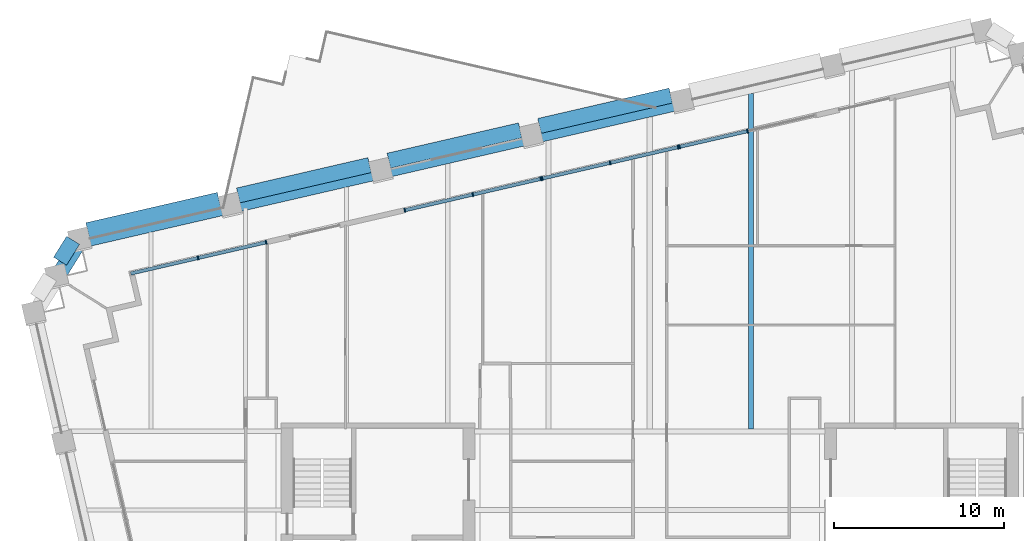
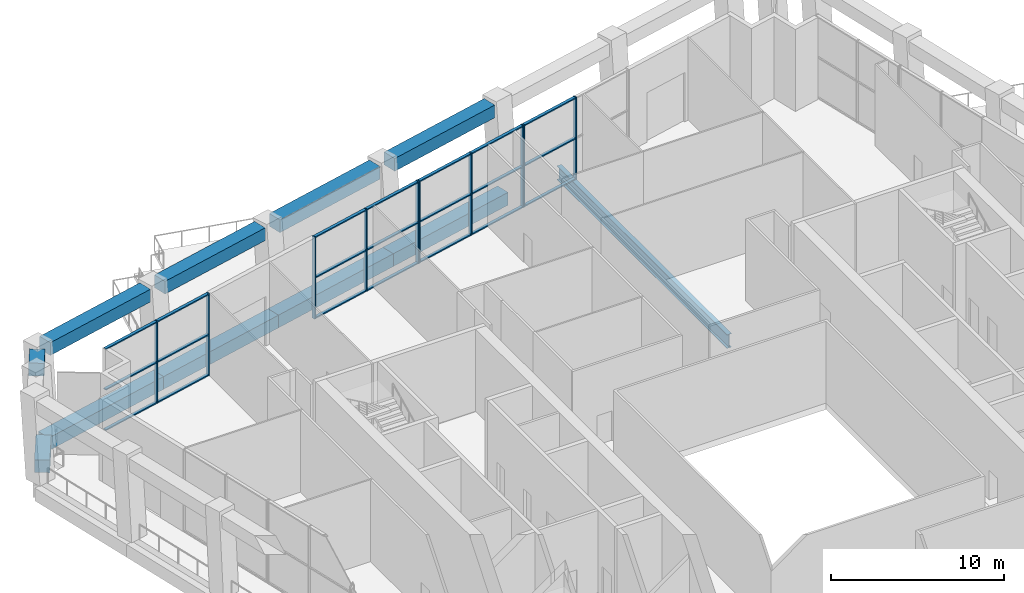
# One storey, part 8 of 24: 31 members, 11 beams, 4 elements without a shape of their own.
"""IFC4 building model written with IfcOpenShell, lengths in metres."""

from ifc_helpers import new_model, si_unit, direction, frame, origin, origin_2d, place, context, subcontext, project, spatial, rectangle, i_section, extrude, material, material_profile, profile_set, type_object, element, aggregate, save


model = new_model("IFC4")

# Units and contexts
model_context = context("Model", 3, precision=1e-05, world=origin(), true_north=direction((0.0, 1.0)))
body_context = subcontext(model_context, "Body", "Model", "MODEL_VIEW")
ifc_project = project(units=[si_unit("LENGTHUNIT", "METRE"), si_unit("AREAUNIT", "SQUARE_METRE"), si_unit("VOLUMEUNIT", "CUBIC_METRE"), si_unit("PLANEANGLEUNIT", "RADIAN"), si_unit("MASSUNIT", "GRAM", prefix="KILO")], contexts=[model_context])

# Site, building, storey
site_placement = place(None, origin())
site = spatial("IfcSite", under=ifc_project, at=site_placement, CompositionType="ELEMENT")
building_placement = place(site_placement, origin())
building = spatial("IfcBuilding", under=site, at=building_placement, Name="Ogive Exchange Tower", CompositionType="ELEMENT")
storey_placement = place(building_placement, frame((0.0, 0.0, 165.60009765625)))
storey = spatial("IfcBuildingStorey", under=building, at=storey_placement, Name="L36", CompositionType="ELEMENT", Elevation=165.60009765625)

# Beams
ifc_material_1 = material(Name="Steel ASTM A992 Gr50", Category="steel")
ifc_material_profile_1 = material_profile(ifc_material_1, i_section(OverallWidth=0.300048828125, OverallDepth=0.969970703125, WebThickness=0.01611328125, FlangeThickness=0.02099609375, at=origin_2d()), Name="W1000x222")
ifc_profile_set_1 = profile_set([ifc_material_profile_1], Name="Steel ASTM A992 Gr50")
beam_type_1 = type_object("IfcBeamType", Name="Floor beam W1000x222", PredefinedType="JOIST", material=ifc_profile_set_1)
beam_1_placement = place(storey_placement, frame((5.95166015625, 25.39501953125, -0.93505859375), z_axis=(0.0, 1.0, 0.0), x_axis=(-1.0, 0.0, 0.0)))
element("IfcBeam", 1, at=beam_1_placement, inside=storey, type_object=beam_type_1, Name="Floor beam", PredefinedType="JOIST", context=body_context, shape_type="SweptSolid", body=[
    extrude(i_section(OverallWidth=0.300048828125, OverallDepth=0.969970703125, WebThickness=0.01611328125, FlangeThickness=0.02099609375, at=origin_2d()), origin(), (0.0, 0.0, 1.0), 19.72998046875),
])
ifc_material_2 = material(Name="Precast concrete C70/85 (limestone faced)", Category="masonry")
ifc_material_profile_2 = material_profile(ifc_material_2, rectangle(XDim=0.89990234375, YDim=0.89990234375, at=origin_2d()), Name="900 x 900")
ifc_profile_set_2 = profile_set([ifc_material_profile_2], Name="Precast concrete C70/85 (limestone faced)")
beam_type_2 = type_object("IfcBeamType", Name="Precast spandrel 900 x 900 C70/85", PredefinedType="SPANDREL", material=ifc_profile_set_2)
for number, where, z_axis, x_axis, name in (
    (2, (1.2373046875, 45.015869140625, 5.2998046875), (-0.974369944206, -0.224951576629, 0.0), (0.224951576629, -0.974369944206, 0.0), "Spandrel 20"),
    (3, (-7.62939453125, 42.96875, 5.2998046875), (-0.974369944206, -0.224951576629, 0.0), (0.224951576629, -0.974369944206, 0.0), "Spandrel 21"),
    (4, (-16.496337890625, 40.921875, 5.2998046875), (-0.974369944206, -0.224951576629, 0.0), (0.224951576629, -0.974369944206, 0.0), "Spandrel 22"),
    (5, (-25.363037109375, 38.874755859375, 5.2998046875), (-0.974369944206, -0.224951576629, 0.0), (0.224951576629, -0.974369944206, 0.0), "Spandrel 23"),
):
    element("IfcBeam", number, at=place(storey_placement, frame(where, z_axis=z_axis, x_axis=x_axis)), inside=storey, type_object=beam_type_2, Name=name, PredefinedType="SPANDREL", context=body_context, shape_type="SweptSolid", body=[
        extrude(rectangle(XDim=0.89990234375, YDim=0.89990234375, at=origin_2d()), origin(), (0.0, 0.0, 1.0), 7.940185546875),
    ])
beam_2_placement = place(storey_placement, frame((-33.955322265625, 36.492919921875, 5.2998046875), z_axis=(-0.529953484787, -0.848026711821, 0.0), x_axis=(0.848026711821, -0.529953484787, 0.0)))
element("IfcBeam", 6, at=beam_2_placement, inside=storey, type_object=beam_type_2, Name="Spandrel 24", PredefinedType="SPANDREL", context=body_context, shape_type="SweptSolid", body=[
    extrude(rectangle(XDim=0.89990234375, YDim=0.89990234375, at=origin_2d()), origin(), (0.0, 0.0, 1.0), 1.448486328125),
])
ifc_material_profile_3 = material_profile(ifc_material_2, rectangle(XDim=0.89990234375, YDim=0.89990234375, at=origin_2d()), Name="900 x 900")
ifc_profile_set_3 = profile_set([ifc_material_profile_3], Name="Precast concrete C70/85 (limestone faced)")
beam_type_3 = type_object("IfcBeamType", Name="Precast transfer girder 900 x 900 C70/85", PredefinedType="BEAM", material=ifc_profile_set_3)
beam_3_placement = place(storey_placement, frame((1.915771484375, 44.655029296875, -0.900146484375), z_axis=(-0.974368129866, -0.224959435237, 0.0), x_axis=(0.224959435237, -0.974368129866, 0.0)))
element("IfcBeam", 7, at=beam_3_placement, inside=storey, type_object=beam_type_3, Name="Transfer girder 20", PredefinedType="BEAM", context=body_context, shape_type="SweptSolid", body=[
    extrude(rectangle(XDim=0.89990234375, YDim=0.89990234375, at=origin_2d()), origin(), (0.0, 0.0, 1.0), 9.099853515625),
])
beam_4_placement = place(storey_placement, frame((-6.950927734375, 42.60791015625, -0.900146484375), z_axis=(-0.974375367626, -0.224928083983, 0.0), x_axis=(0.224928083983, -0.974375367626, 0.0)))
element("IfcBeam", 8, at=beam_4_placement, inside=storey, type_object=beam_type_3, Name="Transfer girder 21", PredefinedType="BEAM", context=body_context, shape_type="SweptSolid", body=[
    extrude(rectangle(XDim=0.89990234375, YDim=0.89990234375, at=origin_2d()), origin(), (0.0, 0.0, 1.0), 9.10009765625),
])
for number, where, z_axis, x_axis, name in (
    (9, (-15.81787109375, 40.56103515625, -0.900146484375), (-0.974368129866, -0.224959435237, 0.0), (0.224959435237, -0.974368129866, 0.0), "Transfer girder 22"),
    (10, (-24.6845703125, 38.513916015625, -0.900146484375), (-0.974368129866, -0.224959435237, 0.0), (0.224959435237, -0.974368129866, 0.0), "Transfer girder 23"),
):
    element("IfcBeam", number, at=place(storey_placement, frame(where, z_axis=z_axis, x_axis=x_axis)), inside=storey, type_object=beam_type_3, Name=name, PredefinedType="BEAM", context=body_context, shape_type="SweptSolid", body=[
        extrude(rectangle(XDim=0.89990234375, YDim=0.89990234375, at=origin_2d()), origin(), (0.0, 0.0, 1.0), 9.099853515625),
    ])
beam_5_placement = place(storey_placement, frame((-33.55126953125, 36.466796875, -0.900146484375), z_axis=(-0.529912724405, -0.848052182659, 0.0), x_axis=(0.848052182659, -0.529912724405, 0.0)))
element("IfcBeam", 11, at=beam_5_placement, inside=storey, type_object=beam_type_3, Name="Transfer girder 24", PredefinedType="BEAM", context=body_context, shape_type="SweptSolid", body=[
    extrude(rectangle(XDim=0.89990234375, YDim=0.89990234375, at=origin_2d()), origin(), (0.0, 0.0, 1.0), 2.54541015625),
])

# Curtain wall, members
ifc_material_3 = material(Name="Anodised aluminium and clear glass", Category="aluminium")
curtain_wall_type = type_object("IfcCurtainWallType", Name="Winter garden glazing", PredefinedType="NOTDEFINED", material=ifc_material_3)
curtain_wall_1_placement = place(storey_placement, origin())
curtain_wall_1 = element("IfcCurtainWall", 12, at=curtain_wall_1_placement, inside=storey, type_object=curtain_wall_type, Name="Winter garden glazing run G15", PredefinedType="NOTDEFINED")
ifc_material_4 = material(Name="Anodised aluminium", Category="aluminium")
ifc_material_profile_4 = material_profile(ifc_material_4, rectangle(XDim=0.239990234375, YDim=0.080078125, at=origin_2d()), Name="AL 80x240")
ifc_profile_set_4 = profile_set([ifc_material_profile_4], Name="Anodised aluminium")
member_type_1 = type_object("IfcMemberType", Name="Winter garden glazing mullion 80 x 240", PredefinedType="MULLION", material=ifc_profile_set_4)
member_1_placement = place(storey_placement, frame((5.753662109375, 42.924072265625, 0.0), z_axis=(0.0, 0.0, 1.0), x_axis=(0.224951017509, -0.974370073289, 0.0)))
member_1 = element("IfcMember", 13, at=member_1_placement, type_object=member_type_1, Name="G15 mullion 2", PredefinedType="MULLION", context=body_context, shape_type="SweptSolid", body=[
    extrude(rectangle(XDim=0.239990234375, YDim=0.080078125, at=origin_2d()), origin(), (0.0, 0.0, 1.0), 5.7998046875),
])
member_2_placement = place(storey_placement, frame((1.748779296875, 41.99951171875, 0.0), z_axis=(0.0, 0.0, 1.0), x_axis=(0.224951017509, -0.974370073289, 0.0)))
member_2 = element("IfcMember", 14, at=member_2_placement, type_object=member_type_1, Name="G15 mullion 3", PredefinedType="MULLION", context=body_context, shape_type="SweptSolid", body=[
    extrude(rectangle(XDim=0.239990234375, YDim=0.080078125, at=origin_2d()), origin(), (0.0, 0.0, 1.0), 5.7998046875),
])

curtain_wall_2_placement = place(storey_placement, origin())
curtain_wall_2 = element("IfcCurtainWall", 15, at=curtain_wall_2_placement, inside=storey, type_object=curtain_wall_type, Name="Winter garden glazing run G16", PredefinedType="NOTDEFINED")
member_3_placement = place(storey_placement, frame((1.6708984375, 41.9814453125, 0.0), z_axis=(0.0, 0.0, 1.0), x_axis=(0.224951017509, -0.974370073289, 0.0)))
member_3 = element("IfcMember", 16, at=member_3_placement, type_object=member_type_1, Name="G16 mullion 1", PredefinedType="MULLION", context=body_context, shape_type="SweptSolid", body=[
    extrude(rectangle(XDim=0.239990234375, YDim=0.080078125, at=origin_2d()), origin(), (0.0, 0.0, 1.0), 5.7998046875),
])
member_4_placement = place(storey_placement, frame((-2.333740234375, 41.056884765625, 0.0), z_axis=(0.0, 0.0, 1.0), x_axis=(0.224951017509, -0.974370073289, 0.0)))
member_4 = element("IfcMember", 17, at=member_4_placement, type_object=member_type_1, Name="G16 mullion 2", PredefinedType="MULLION", context=body_context, shape_type="SweptSolid", body=[
    extrude(rectangle(XDim=0.239990234375, YDim=0.080078125, at=origin_2d()), origin(), (0.0, 0.0, 1.0), 5.7998046875),
])
member_5_placement = place(storey_placement, frame((-6.33837890625, 40.13232421875, 0.0), z_axis=(0.0, 0.0, 1.0), x_axis=(0.224951017509, -0.974370073289, 0.0)))
member_5 = element("IfcMember", 18, at=member_5_placement, type_object=member_type_1, Name="G16 mullion 3", PredefinedType="MULLION", context=body_context, shape_type="SweptSolid", body=[
    extrude(rectangle(XDim=0.239990234375, YDim=0.080078125, at=origin_2d()), origin(), (0.0, 0.0, 1.0), 5.7998046875),
])

curtain_wall_3_placement = place(storey_placement, origin())
curtain_wall_3 = element("IfcCurtainWall", 19, at=curtain_wall_3_placement, inside=storey, type_object=curtain_wall_type, Name="Winter garden glazing run G17", PredefinedType="NOTDEFINED")
member_6_placement = place(storey_placement, frame((-6.416259765625, 40.114501953125, 0.0), z_axis=(0.0, 0.0, 1.0), x_axis=(0.224953658314, -0.974369463608, 0.0)))
member_6 = element("IfcMember", 20, at=member_6_placement, type_object=member_type_1, Name="G17 mullion 1", PredefinedType="MULLION", context=body_context, shape_type="SweptSolid", body=[
    extrude(rectangle(XDim=0.239990234375, YDim=0.080078125, at=origin_2d()), origin(), (0.0, 0.0, 1.0), 5.7998046875),
])
member_7_placement = place(storey_placement, frame((-10.4208984375, 39.18994140625, 0.0), z_axis=(0.0, 0.0, 1.0), x_axis=(0.224953658314, -0.974369463608, 0.0)))
member_7 = element("IfcMember", 21, at=member_7_placement, type_object=member_type_1, Name="G17 mullion 2", PredefinedType="MULLION", context=body_context, shape_type="SweptSolid", body=[
    extrude(rectangle(XDim=0.239990234375, YDim=0.080078125, at=origin_2d()), origin(), (0.0, 0.0, 1.0), 5.7998046875),
])
member_8_placement = place(storey_placement, frame((-14.425537109375, 38.265380859375, 0.0), z_axis=(0.0, 0.0, 1.0), x_axis=(0.224953658314, -0.974369463608, 0.0)))
member_8 = element("IfcMember", 22, at=member_8_placement, type_object=member_type_1, Name="G17 mullion 3", PredefinedType="MULLION", context=body_context, shape_type="SweptSolid", body=[
    extrude(rectangle(XDim=0.239990234375, YDim=0.080078125, at=origin_2d()), origin(), (0.0, 0.0, 1.0), 5.7998046875),
])

curtain_wall_4_placement = place(storey_placement, origin())
curtain_wall_4 = element("IfcCurtainWall", 23, at=curtain_wall_4_placement, inside=storey, type_object=curtain_wall_type, Name="Winter garden glazing run G19", PredefinedType="NOTDEFINED")
member_9_placement = place(storey_placement, frame((-22.5908203125, 36.380126953125, 0.0), z_axis=(0.0, 0.0, 1.0), x_axis=(0.224951017509, -0.974370073289, 0.0)))
member_9 = element("IfcMember", 24, at=member_9_placement, type_object=member_type_1, Name="G19 mullion 1", PredefinedType="MULLION", context=body_context, shape_type="SweptSolid", body=[
    extrude(rectangle(XDim=0.239990234375, YDim=0.080078125, at=origin_2d()), origin(), (0.0, 0.0, 1.0), 5.7998046875),
])
member_10_placement = place(storey_placement, frame((-26.595458984375, 35.45556640625, 0.0), z_axis=(0.0, 0.0, 1.0), x_axis=(0.224951017509, -0.974370073289, 0.0)))
member_10 = element("IfcMember", 25, at=member_10_placement, type_object=member_type_1, Name="G19 mullion 2", PredefinedType="MULLION", context=body_context, shape_type="SweptSolid", body=[
    extrude(rectangle(XDim=0.239990234375, YDim=0.080078125, at=origin_2d()), origin(), (0.0, 0.0, 1.0), 5.7998046875),
])

# Member
ifc_material_profile_5 = material_profile(ifc_material_4, rectangle(XDim=0.199951171875, YDim=0.080078125, at=origin_2d()), Name="AL 80x200")
ifc_profile_set_5 = profile_set([ifc_material_profile_5], Name="Anodised aluminium")
member_type_2 = type_object("IfcMemberType", Name="Winter garden glazing transom 80 x 200", PredefinedType="USERDEFINED", material=ifc_profile_set_5)
member_11_placement = place(storey_placement, frame((5.714599609375, 42.9150390625, 0.039794921875), z_axis=(-0.97437383551, -0.224934720918, 0.0), x_axis=(0.224934720918, -0.97437383551, 0.0)))
member_11 = element("IfcMember", 26, at=member_11_placement, type_object=member_type_2, Name="G15 transom 2.1", ObjectType="TRANSOM", PredefinedType="USERDEFINED", context=body_context, shape_type="SweptSolid", body=[
    extrude(rectangle(XDim=0.199951171875, YDim=0.080078125, at=origin_2d()), origin(), (0.0, 0.0, 1.0), 4.030029296875),
])

member_12_placement = place(storey_placement, frame((5.714599609375, 42.9150390625, 2.89990234375), z_axis=(-0.97437383551, -0.224934720918, 0.0), x_axis=(0.224934720918, -0.97437383551, 0.0)))
member_12 = element("IfcMember", 27, at=member_12_placement, type_object=member_type_2, Name="G15 transom 2.2", ObjectType="TRANSOM", PredefinedType="USERDEFINED", context=body_context, shape_type="SweptSolid", body=[
    extrude(rectangle(XDim=0.199951171875, YDim=0.080078125, at=origin_2d()), origin(), (0.0, 0.0, 1.0), 4.030029296875),
])

member_13_placement = place(storey_placement, frame((5.714599609375, 42.9150390625, 5.760009765625), z_axis=(-0.97437383551, -0.224934720918, 0.0), x_axis=(0.224934720918, -0.97437383551, 0.0)))
member_13 = element("IfcMember", 28, at=member_13_placement, type_object=member_type_2, Name="G15 transom 2.3", ObjectType="TRANSOM", PredefinedType="USERDEFINED", context=body_context, shape_type="SweptSolid", body=[
    extrude(rectangle(XDim=0.199951171875, YDim=0.080078125, at=origin_2d()), origin(), (0.0, 0.0, 1.0), 4.030029296875),
])

aggregate(curtain_wall_1, [member_1, member_2, member_11, member_12, member_13])

member_14_placement = place(storey_placement, frame((1.6318359375, 41.972412109375, 0.039794921875), z_axis=(-0.974370770139, -0.2249479991, 0.0), x_axis=(0.2249479991, -0.974370770139, 0.0)))
member_14 = element("IfcMember", 29, at=member_14_placement, type_object=member_type_2, Name="G16 transom 1.1", ObjectType="TRANSOM", PredefinedType="USERDEFINED", context=body_context, shape_type="SweptSolid", body=[
    extrude(rectangle(XDim=0.199951171875, YDim=0.080078125, at=origin_2d()), origin(), (0.0, 0.0, 1.0), 4.02978515625),
])

member_15_placement = place(storey_placement, frame((1.6318359375, 41.972412109375, 2.89990234375), z_axis=(-0.974370770139, -0.2249479991, 0.0), x_axis=(0.2249479991, -0.974370770139, 0.0)))
member_15 = element("IfcMember", 30, at=member_15_placement, type_object=member_type_2, Name="G16 transom 1.2", ObjectType="TRANSOM", PredefinedType="USERDEFINED", context=body_context, shape_type="SweptSolid", body=[
    extrude(rectangle(XDim=0.199951171875, YDim=0.080078125, at=origin_2d()), origin(), (0.0, 0.0, 1.0), 4.02978515625),
])

member_16_placement = place(storey_placement, frame((1.6318359375, 41.972412109375, 5.760009765625), z_axis=(-0.974370770139, -0.2249479991, 0.0), x_axis=(0.2249479991, -0.974370770139, 0.0)))
member_16 = element("IfcMember", 31, at=member_16_placement, type_object=member_type_2, Name="G16 transom 1.3", ObjectType="TRANSOM", PredefinedType="USERDEFINED", context=body_context, shape_type="SweptSolid", body=[
    extrude(rectangle(XDim=0.199951171875, YDim=0.080078125, at=origin_2d()), origin(), (0.0, 0.0, 1.0), 4.02978515625),
])

member_17_placement = place(storey_placement, frame((-2.372802734375, 41.0478515625, 0.039794921875), z_axis=(-0.97437383551, -0.224934720918, 0.0), x_axis=(0.224934720918, -0.97437383551, 0.0)))
member_17 = element("IfcMember", 32, at=member_17_placement, type_object=member_type_2, Name="G16 transom 2.1", ObjectType="TRANSOM", PredefinedType="USERDEFINED", context=body_context, shape_type="SweptSolid", body=[
    extrude(rectangle(XDim=0.199951171875, YDim=0.080078125, at=origin_2d()), origin(), (0.0, 0.0, 1.0), 4.030029296875),
])

member_18_placement = place(storey_placement, frame((-2.372802734375, 41.0478515625, 2.89990234375), z_axis=(-0.97437383551, -0.224934720918, 0.0), x_axis=(0.224934720918, -0.97437383551, 0.0)))
member_18 = element("IfcMember", 33, at=member_18_placement, type_object=member_type_2, Name="G16 transom 2.2", ObjectType="TRANSOM", PredefinedType="USERDEFINED", context=body_context, shape_type="SweptSolid", body=[
    extrude(rectangle(XDim=0.199951171875, YDim=0.080078125, at=origin_2d()), origin(), (0.0, 0.0, 1.0), 4.030029296875),
])

member_19_placement = place(storey_placement, frame((-2.372802734375, 41.0478515625, 5.760009765625), z_axis=(-0.97437383551, -0.224934720918, 0.0), x_axis=(0.224934720918, -0.97437383551, 0.0)))
member_19 = element("IfcMember", 34, at=member_19_placement, type_object=member_type_2, Name="G16 transom 2.3", ObjectType="TRANSOM", PredefinedType="USERDEFINED", context=body_context, shape_type="SweptSolid", body=[
    extrude(rectangle(XDim=0.199951171875, YDim=0.080078125, at=origin_2d()), origin(), (0.0, 0.0, 1.0), 4.030029296875),
])

aggregate(curtain_wall_2, [member_3, member_4, member_5, member_14, member_15, member_16, member_17, member_18, member_19])

member_20_placement = place(storey_placement, frame((-6.455322265625, 40.10546875, 0.039794921875), z_axis=(-0.974360556574, -0.224992234961, 0.0), x_axis=(0.224992234961, -0.974360556574, 0.0)))
member_20 = element("IfcMember", 35, at=member_20_placement, type_object=member_type_2, Name="G17 transom 1.1", ObjectType="TRANSOM", PredefinedType="USERDEFINED", context=body_context, shape_type="SweptSolid", body=[
    extrude(rectangle(XDim=0.199951171875, YDim=0.080078125, at=origin_2d()), origin(), (0.0, 0.0, 1.0), 4.030029296875),
])

member_21_placement = place(storey_placement, frame((-6.455322265625, 40.10546875, 2.89990234375), z_axis=(-0.974360556574, -0.224992234961, 0.0), x_axis=(0.224992234961, -0.974360556574, 0.0)))
member_21 = element("IfcMember", 36, at=member_21_placement, type_object=member_type_2, Name="G17 transom 1.2", ObjectType="TRANSOM", PredefinedType="USERDEFINED", context=body_context, shape_type="SweptSolid", body=[
    extrude(rectangle(XDim=0.199951171875, YDim=0.080078125, at=origin_2d()), origin(), (0.0, 0.0, 1.0), 4.030029296875),
])

member_22_placement = place(storey_placement, frame((-6.455322265625, 40.10546875, 5.760009765625), z_axis=(-0.974360556574, -0.224992234961, 0.0), x_axis=(0.224992234961, -0.974360556574, 0.0)))
member_22 = element("IfcMember", 37, at=member_22_placement, type_object=member_type_2, Name="G17 transom 1.3", ObjectType="TRANSOM", PredefinedType="USERDEFINED", context=body_context, shape_type="SweptSolid", body=[
    extrude(rectangle(XDim=0.199951171875, YDim=0.080078125, at=origin_2d()), origin(), (0.0, 0.0, 1.0), 4.030029296875),
])

member_23_placement = place(storey_placement, frame((-10.4599609375, 39.180908203125, 0.039794921875), z_axis=(-0.97437383551, -0.224934720918, 0.0), x_axis=(0.224934720918, -0.97437383551, 0.0)))
member_23 = element("IfcMember", 38, at=member_23_placement, type_object=member_type_2, Name="G17 transom 2.1", ObjectType="TRANSOM", PredefinedType="USERDEFINED", context=body_context, shape_type="SweptSolid", body=[
    extrude(rectangle(XDim=0.199951171875, YDim=0.080078125, at=origin_2d()), origin(), (0.0, 0.0, 1.0), 4.030029296875),
])

member_24_placement = place(storey_placement, frame((-10.4599609375, 39.180908203125, 2.89990234375), z_axis=(-0.97437383551, -0.224934720918, 0.0), x_axis=(0.224934720918, -0.97437383551, 0.0)))
member_24 = element("IfcMember", 39, at=member_24_placement, type_object=member_type_2, Name="G17 transom 2.2", ObjectType="TRANSOM", PredefinedType="USERDEFINED", context=body_context, shape_type="SweptSolid", body=[
    extrude(rectangle(XDim=0.199951171875, YDim=0.080078125, at=origin_2d()), origin(), (0.0, 0.0, 1.0), 4.030029296875),
])

member_25_placement = place(storey_placement, frame((-10.4599609375, 39.180908203125, 5.760009765625), z_axis=(-0.97437383551, -0.224934720918, 0.0), x_axis=(0.224934720918, -0.97437383551, 0.0)))
member_25 = element("IfcMember", 40, at=member_25_placement, type_object=member_type_2, Name="G17 transom 2.3", ObjectType="TRANSOM", PredefinedType="USERDEFINED", context=body_context, shape_type="SweptSolid", body=[
    extrude(rectangle(XDim=0.199951171875, YDim=0.080078125, at=origin_2d()), origin(), (0.0, 0.0, 1.0), 4.030029296875),
])

aggregate(curtain_wall_3, [member_6, member_7, member_8, member_20, member_21, member_22, member_23, member_24, member_25])

member_26_placement = place(storey_placement, frame((-22.6298828125, 36.37109375, 0.039794921875), z_axis=(-0.97437383551, -0.224934720918, 0.0), x_axis=(0.224934720918, -0.97437383551, 0.0)))
member_26 = element("IfcMember", 41, at=member_26_placement, type_object=member_type_2, Name="G19 transom 1.1", ObjectType="TRANSOM", PredefinedType="USERDEFINED", context=body_context, shape_type="SweptSolid", body=[
    extrude(rectangle(XDim=0.199951171875, YDim=0.080078125, at=origin_2d()), origin(), (0.0, 0.0, 1.0), 4.030029296875),
])

member_27_placement = place(storey_placement, frame((-22.6298828125, 36.37109375, 2.89990234375), z_axis=(-0.97437383551, -0.224934720918, 0.0), x_axis=(0.224934720918, -0.97437383551, 0.0)))
member_27 = element("IfcMember", 42, at=member_27_placement, type_object=member_type_2, Name="G19 transom 1.2", ObjectType="TRANSOM", PredefinedType="USERDEFINED", context=body_context, shape_type="SweptSolid", body=[
    extrude(rectangle(XDim=0.199951171875, YDim=0.080078125, at=origin_2d()), origin(), (0.0, 0.0, 1.0), 4.030029296875),
])

member_28_placement = place(storey_placement, frame((-22.6298828125, 36.37109375, 5.760009765625), z_axis=(-0.97437383551, -0.224934720918, 0.0), x_axis=(0.224934720918, -0.97437383551, 0.0)))
member_28 = element("IfcMember", 43, at=member_28_placement, type_object=member_type_2, Name="G19 transom 1.3", ObjectType="TRANSOM", PredefinedType="USERDEFINED", context=body_context, shape_type="SweptSolid", body=[
    extrude(rectangle(XDim=0.199951171875, YDim=0.080078125, at=origin_2d()), origin(), (0.0, 0.0, 1.0), 4.030029296875),
])

member_29_placement = place(storey_placement, frame((-26.634521484375, 35.446533203125, 0.039794921875), z_axis=(-0.97437383551, -0.224934720918, 0.0), x_axis=(0.224934720918, -0.97437383551, 0.0)))
member_29 = element("IfcMember", 44, at=member_29_placement, type_object=member_type_2, Name="G19 transom 2.1", ObjectType="TRANSOM", PredefinedType="USERDEFINED", context=body_context, shape_type="SweptSolid", body=[
    extrude(rectangle(XDim=0.199951171875, YDim=0.080078125, at=origin_2d()), origin(), (0.0, 0.0, 1.0), 4.030029296875),
])

member_30_placement = place(storey_placement, frame((-26.634521484375, 35.446533203125, 2.89990234375), z_axis=(-0.97437383551, -0.224934720918, 0.0), x_axis=(0.224934720918, -0.97437383551, 0.0)))
member_30 = element("IfcMember", 45, at=member_30_placement, type_object=member_type_2, Name="G19 transom 2.2", ObjectType="TRANSOM", PredefinedType="USERDEFINED", context=body_context, shape_type="SweptSolid", body=[
    extrude(rectangle(XDim=0.199951171875, YDim=0.080078125, at=origin_2d()), origin(), (0.0, 0.0, 1.0), 4.030029296875),
])

member_31_placement = place(storey_placement, frame((-26.634521484375, 35.446533203125, 5.760009765625), z_axis=(-0.97437383551, -0.224934720918, 0.0), x_axis=(0.224934720918, -0.97437383551, 0.0)))
member_31 = element("IfcMember", 46, at=member_31_placement, type_object=member_type_2, Name="G19 transom 2.3", ObjectType="TRANSOM", PredefinedType="USERDEFINED", context=body_context, shape_type="SweptSolid", body=[
    extrude(rectangle(XDim=0.199951171875, YDim=0.080078125, at=origin_2d()), origin(), (0.0, 0.0, 1.0), 4.030029296875),
])

aggregate(curtain_wall_4, [member_9, member_10, member_26, member_27, member_28, member_29, member_30, member_31])

save(model, "model.ifc")
